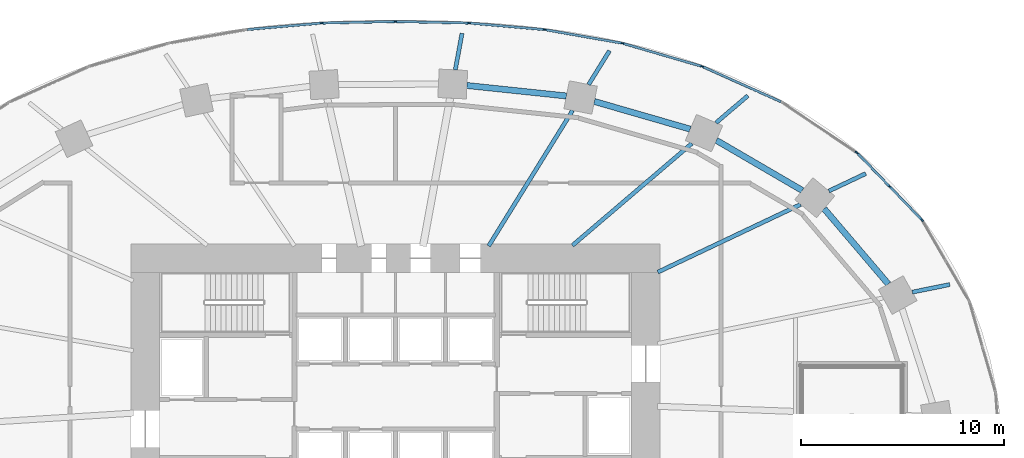
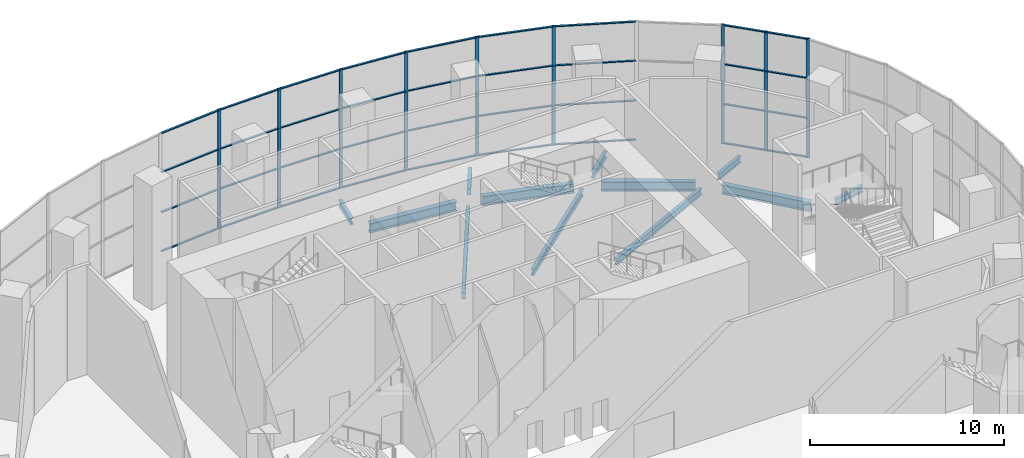
# One storey, part 8 of 22: 45 members, 12 beams, 9 elements without a shape of their own.
"""IFC4 building model written with IfcOpenShell, lengths in metres."""

from ifc_helpers import new_model, si_unit, direction, frame, origin, origin_2d, place, context, subcontext, project, spatial, rectangle, i_section, extrude, material, material_profile, profile_set, type_object, element, aggregate, save


model = new_model("IFC4")

# Units and contexts
model_context = context("Model", 3, precision=1e-05, world=origin(), true_north=direction((0.0, 1.0)))
body_context = subcontext(model_context, "Body", "Model", "MODEL_VIEW")
ifc_project = project(units=[si_unit("LENGTHUNIT", "METRE"), si_unit("AREAUNIT", "SQUARE_METRE"), si_unit("VOLUMEUNIT", "CUBIC_METRE"), si_unit("PLANEANGLEUNIT", "RADIAN"), si_unit("MASSUNIT", "GRAM", prefix="KILO")], contexts=[model_context])

# Site, building, storey
site_placement = place(None, origin())
site = spatial("IfcSite", under=ifc_project, at=site_placement, CompositionType="ELEMENT")
building_placement = place(site_placement, origin())
building = spatial("IfcBuilding", under=site, at=building_placement, Name="Rubra Terraces Tower", CompositionType="ELEMENT")
storey_placement = place(building_placement, frame((0.0, 0.0, 7.199951171875)))
storey = spatial("IfcBuildingStorey", under=building, at=storey_placement, Name="L01", CompositionType="ELEMENT", Elevation=7.199951171875)

# Beams
ifc_material_1 = material(Name="Steel Q355B", Category="steel")
ifc_material_profile_1 = material_profile(ifc_material_1, i_section(OverallWidth=0.199951171875, OverallDepth=0.39990234375, WebThickness=0.008056640625, FlangeThickness=0.012939453125, at=origin_2d()), Name="HN 400x200x8x13")
ifc_profile_set_1 = profile_set([ifc_material_profile_1], Name="Steel Q355B")
beam_type_1 = type_object("IfcBeamType", Name="CANTILEVER BEAM HN 400x200x8x13", PredefinedType="BEAM", material=ifc_profile_set_1)
beam_1_placement = place(storey_placement, frame((25.39599609375, 9.6279296875, -0.449951171875), z_axis=(0.980183746275, 0.198090442822, 0.0), x_axis=(-0.198090442822, 0.980183746275, 0.0)))
element("IfcBeam", 1, at=beam_1_placement, inside=storey, type_object=beam_type_1, Name="beam-L01-cant-02", PredefinedType="BEAM", context=body_context, shape_type="SweptSolid", body=[
    extrude(i_section(OverallWidth=0.199951171875, OverallDepth=0.39990234375, WebThickness=0.008056640625, FlangeThickness=0.012939453125, at=origin_2d()), origin(), (0.0, 0.0, 1.0), 1.878173828125),
])
beam_2_placement = place(storey_placement, frame((21.2958984375, 14.595947265625, -0.449951171875), z_axis=(0.903591368952, 0.428395422426, 0.0), x_axis=(-0.428395422426, 0.903591368952, 0.0)))
element("IfcBeam", 2, at=beam_2_placement, inside=storey, type_object=beam_type_1, Name="beam-L01-cant-03", PredefinedType="BEAM", context=body_context, shape_type="SweptSolid", body=[
    extrude(i_section(OverallWidth=0.199951171875, OverallDepth=0.39990234375, WebThickness=0.008056640625, FlangeThickness=0.012939453125, at=origin_2d()), origin(), (0.0, 0.0, 1.0), 2.003173828125),
])
beam_3_placement = place(storey_placement, frame((15.7509765625, 17.947998046875, -0.449951171875), z_axis=(0.760464221836, 0.649379832847, 0.0), x_axis=(-0.649379832847, 0.760464221836, 0.0)))
element("IfcBeam", 3, at=beam_3_placement, inside=storey, type_object=beam_type_1, Name="beam-L01-cant-04", PredefinedType="BEAM", context=body_context, shape_type="SweptSolid", body=[
    extrude(i_section(OverallWidth=0.199951171875, OverallDepth=0.39990234375, WebThickness=0.008056640625, FlangeThickness=0.012939453125, at=origin_2d()), origin(), (0.0, 0.0, 1.0), 2.052734375),
])
beam_4_placement = place(storey_placement, frame((9.488037109375, 19.827880859375, -0.449951171875), z_axis=(0.526264261804, 0.850321072741, 0.0), x_axis=(-0.850321072741, 0.526264261804, 0.0)))
element("IfcBeam", 4, at=beam_4_placement, inside=storey, type_object=beam_type_1, Name="beam-L01-cant-05", PredefinedType="BEAM", context=body_context, shape_type="SweptSolid", body=[
    extrude(i_section(OverallWidth=0.199951171875, OverallDepth=0.39990234375, WebThickness=0.008056640625, FlangeThickness=0.012939453125, at=origin_2d()), origin(), (0.0, 0.0, 1.0), 1.95361328125),
])
beam_5_placement = place(storey_placement, frame((2.93798828125, 20.549072265625, -0.449951171875), z_axis=(0.180016854408, 0.983663525871, 0.0), x_axis=(-0.983663525871, 0.180016854408, 0.0)))
element("IfcBeam", 5, at=beam_5_placement, inside=storey, type_object=beam_type_1, Name="beam-L01-cant-06", PredefinedType="BEAM", context=body_context, shape_type="SweptSolid", body=[
    extrude(i_section(OverallWidth=0.199951171875, OverallDepth=0.39990234375, WebThickness=0.008056640625, FlangeThickness=0.012939453125, at=origin_2d()), origin(), (0.0, 0.0, 1.0), 1.82275390625),
])
ifc_material_profile_2 = material_profile(ifc_material_1, i_section(OverallWidth=0.199951171875, OverallDepth=0.39990234375, WebThickness=0.008056640625, FlangeThickness=0.012939453125, at=origin_2d()), Name="HN 400x200x8x13")
ifc_profile_set_2 = profile_set([ifc_material_profile_2], Name="Steel Q355B")
beam_type_2 = type_object("IfcBeamType", Name="FLOOR BEAM HN 400x200x8x13", PredefinedType="BEAM", material=ifc_profile_set_2)
beam_6_placement = place(storey_placement, frame((19.904052734375, 13.93603515625, -0.449951171875), z_axis=(-0.903612237836, -0.428351402045, 0.0), x_axis=(0.428351402045, -0.903612237836, 0.0)))
element("IfcBeam", 6, at=beam_6_placement, inside=storey, type_object=beam_type_2, Name="beam-L01-floor-03", PredefinedType="BEAM", context=body_context, shape_type="SweptSolid", body=[
    extrude(i_section(OverallWidth=0.199951171875, OverallDepth=0.39990234375, WebThickness=0.008056640625, FlangeThickness=0.012939453125, at=origin_2d()), origin(), (0.0, 0.0, 1.0), 7.760009765625),
])
beam_7_placement = place(storey_placement, frame((14.56298828125, 16.93408203125, -0.449951171875), z_axis=(-0.760494401061, -0.649344489431, 0.0), x_axis=(0.649344489431, -0.760494401061, 0.0)))
element("IfcBeam", 7, at=beam_7_placement, inside=storey, type_object=beam_type_2, Name="beam-L01-floor-04", PredefinedType="BEAM", context=body_context, shape_type="SweptSolid", body=[
    extrude(i_section(OverallWidth=0.199951171875, OverallDepth=0.39990234375, WebThickness=0.008056640625, FlangeThickness=0.012939453125, at=origin_2d()), origin(), (0.0, 0.0, 1.0), 7.718505859375),
])
beam_8_placement = place(storey_placement, frame((8.699951171875, 18.555908203125, -0.449951171875), z_axis=(-0.526285914839, -0.850307671283, 0.0), x_axis=(0.850307671283, -0.526285914839, 0.0)))
element("IfcBeam", 8, at=beam_8_placement, inside=storey, type_object=beam_type_2, Name="beam-L01-floor-05", PredefinedType="BEAM", context=body_context, shape_type="SweptSolid", body=[
    extrude(i_section(OverallWidth=0.199951171875, OverallDepth=0.39990234375, WebThickness=0.008056640625, FlangeThickness=0.012939453125, at=origin_2d()), origin(), (0.0, 0.0, 1.0), 7.830078125),
])

# Curtain wall, members
ifc_material_2 = material(Name="Aluminium and glass", Category="aluminium")
curtain_wall_type = type_object("IfcCurtainWallType", Name="Curtain wall Podium glazing", PredefinedType="NOTDEFINED", material=ifc_material_2)
curtain_wall_1_placement = place(storey_placement, origin())
curtain_wall_1 = element("IfcCurtainWall", 9, at=curtain_wall_1_placement, inside=storey, type_object=curtain_wall_type, Name="L01 glazing bay 4", PredefinedType="NOTDEFINED")
ifc_material_3 = material(Name="Aluminium, anodised dark grey", Category="aluminium")
ifc_material_profile_3 = material_profile(ifc_material_3, rectangle(XDim=0.06005859375, YDim=0.199951171875, at=origin_2d()), Name="AL 60x200")
ifc_profile_set_3 = profile_set([ifc_material_profile_3], Name="Aluminium, anodised dark grey")
member_type_1 = type_object("IfcMemberType", Name="Podium glazing mullion 60 x 200", PredefinedType="MULLION", material=ifc_profile_set_3)
member_1_placement = place(storey_placement, frame((25.855224609375, 13.181396484375, 0.0), z_axis=(0.0, 0.0, 1.0), x_axis=(-0.71982488517, -0.69415569917, 0.0)))
member_1 = element("IfcMember", 10, at=member_1_placement, type_object=member_type_1, Name="CW1 mullion 1", PredefinedType="MULLION", context=body_context, shape_type="SweptSolid", body=[
    extrude(rectangle(XDim=0.06005859375, YDim=0.199951171875, at=origin_2d()), origin(), (0.0, 0.0, 1.0), 7.550048828125),
])
member_2_placement = place(storey_placement, frame((24.280517578125, 14.814453125, 0.0), z_axis=(0.0, 0.0, 1.0), x_axis=(-0.71982488517, -0.69415569917, 0.0)))
member_2 = element("IfcMember", 11, at=member_2_placement, type_object=member_type_1, Name="CW1 mullion 2", PredefinedType="MULLION", context=body_context, shape_type="SweptSolid", body=[
    extrude(rectangle(XDim=0.06005859375, YDim=0.199951171875, at=origin_2d()), origin(), (0.0, 0.0, 1.0), 7.550048828125),
])

# Curtain wall, member
curtain_wall_2_placement = place(storey_placement, origin())
curtain_wall_2 = element("IfcCurtainWall", 12, at=curtain_wall_2_placement, inside=storey, type_object=curtain_wall_type, Name="L01 glazing bay 5", PredefinedType="NOTDEFINED")
member_3_placement = place(storey_placement, frame((22.672119140625, 16.4755859375, 0.0), z_axis=(0.0, 0.0, 1.0), x_axis=(-0.55927727939, -0.828980654031, 0.0)))
member_3 = element("IfcMember", 13, at=member_3_placement, type_object=member_type_1, Name="CW1 mullion 1", PredefinedType="MULLION", context=body_context, shape_type="SweptSolid", body=[
    extrude(rectangle(XDim=0.06005859375, YDim=0.199951171875, at=origin_2d()), origin(), (0.0, 0.0, 1.0), 7.550048828125),
])
aggregate(curtain_wall_2, [member_3])

curtain_wall_3_placement = place(storey_placement, origin())
curtain_wall_3 = element("IfcCurtainWall", 14, at=curtain_wall_3_placement, inside=storey, type_object=curtain_wall_type, Name="L01 glazing bay 7", PredefinedType="NOTDEFINED")
member_4_placement = place(storey_placement, frame((15.05126953125, 20.721435546875, 0.0), z_axis=(0.0, 0.0, 1.0), x_axis=(-0.279399200229, -0.96017502931, 0.0)))
member_4 = element("IfcMember", 15, at=member_4_placement, type_object=member_type_1, Name="CW1 mullion 1", PredefinedType="MULLION", context=body_context, shape_type="SweptSolid", body=[
    extrude(rectangle(XDim=0.06005859375, YDim=0.199951171875, at=origin_2d()), origin(), (0.0, 0.0, 1.0), 7.550048828125),
])

curtain_wall_4_placement = place(storey_placement, origin())
curtain_wall_4 = element("IfcCurtainWall", 16, at=curtain_wall_4_placement, inside=storey, type_object=curtain_wall_type, Name="L01 glazing bay 8", PredefinedType="NOTDEFINED")
member_5_placement = place(storey_placement, frame((11.13037109375, 21.859375, 0.0), z_axis=(0.0, 0.0, 1.0), x_axis=(-0.172816985997, -0.984953952909, 0.0)))
member_5 = element("IfcMember", 17, at=member_5_placement, type_object=member_type_1, Name="CW1 mullion 1", PredefinedType="MULLION", context=body_context, shape_type="SweptSolid", body=[
    extrude(rectangle(XDim=0.06005859375, YDim=0.199951171875, at=origin_2d()), origin(), (0.0, 0.0, 1.0), 7.550048828125),
])

curtain_wall_5_placement = place(storey_placement, origin())
curtain_wall_5 = element("IfcCurtainWall", 18, at=curtain_wall_5_placement, inside=storey, type_object=curtain_wall_type, Name="L01 glazing bay 9", PredefinedType="NOTDEFINED")
member_6_placement = place(storey_placement, frame((7.306640625, 22.52783203125, 0.0), z_axis=(0.0, 0.0, 1.0), x_axis=(-0.08639804595, -0.996260697637, 0.0)))
member_6 = element("IfcMember", 19, at=member_6_placement, type_object=member_type_1, Name="CW1 mullion 1", PredefinedType="MULLION", context=body_context, shape_type="SweptSolid", body=[
    extrude(rectangle(XDim=0.06005859375, YDim=0.199951171875, at=origin_2d()), origin(), (0.0, 0.0, 1.0), 7.550048828125),
])

curtain_wall_6_placement = place(storey_placement, origin())
curtain_wall_6 = element("IfcCurtainWall", 20, at=curtain_wall_6_placement, inside=storey, type_object=curtain_wall_type, Name="L01 glazing bay 10", PredefinedType="NOTDEFINED")
member_7_placement = place(storey_placement, frame((3.598388671875, 22.84765625, 0.0), z_axis=(0.0, 0.0, 1.0), x_axis=(-0.021482644428, -0.999769221365, 0.0)))
member_7 = element("IfcMember", 21, at=member_7_placement, type_object=member_type_1, Name="CW1 mullion 1", PredefinedType="MULLION", context=body_context, shape_type="SweptSolid", body=[
    extrude(rectangle(XDim=0.06005859375, YDim=0.199951171875, at=origin_2d()), origin(), (0.0, 0.0, 1.0), 7.550048828125),
])

curtain_wall_7_placement = place(storey_placement, origin())
curtain_wall_7 = element("IfcCurtainWall", 22, at=curtain_wall_7_placement, inside=storey, type_object=curtain_wall_type, Name="L01 glazing bay 11", PredefinedType="NOTDEFINED")
member_8_placement = place(storey_placement, frame((-0.0283203125, 22.92431640625, 0.0), z_axis=(0.0, 0.0, 1.0), x_axis=(0.021482644428, -0.999769221365, 0.0)))
member_8 = element("IfcMember", 23, at=member_8_placement, type_object=member_type_1, Name="CW1 mullion 1", PredefinedType="MULLION", context=body_context, shape_type="SweptSolid", body=[
    extrude(rectangle(XDim=0.06005859375, YDim=0.199951171875, at=origin_2d()), origin(), (0.0, 0.0, 1.0), 7.550048828125),
])

curtain_wall_8_placement = place(storey_placement, origin())
curtain_wall_8 = element("IfcCurtainWall", 24, at=curtain_wall_8_placement, inside=storey, type_object=curtain_wall_type, Name="L01 glazing bay 12", PredefinedType="NOTDEFINED")
member_9_placement = place(storey_placement, frame((-3.6533203125, 22.8447265625, 0.0), z_axis=(0.0, 0.0, 1.0), x_axis=(0.08639804595, -0.996260697637, 0.0)))
member_9 = element("IfcMember", 25, at=member_9_placement, type_object=member_type_1, Name="CW1 mullion 1", PredefinedType="MULLION", context=body_context, shape_type="SweptSolid", body=[
    extrude(rectangle(XDim=0.06005859375, YDim=0.199951171875, at=origin_2d()), origin(), (0.0, 0.0, 1.0), 7.550048828125),
])

# Member
ifc_material_profile_4 = material_profile(ifc_material_3, rectangle(XDim=0.1201171875, YDim=0.06005859375, at=origin_2d()), Name="AL 120x60")
ifc_profile_set_4 = profile_set([ifc_material_profile_4], Name="Aluminium, anodised dark grey")
member_type_2 = type_object("IfcMemberType", Name="Podium glazing transom 120 x 60", PredefinedType="USERDEFINED", material=ifc_profile_set_4)
member_10_placement = place(storey_placement, frame((25.83447265625, 13.203125, 0.06005859375), z_axis=(-0.694223533913, 0.719759463266, 0.0), x_axis=(-0.719759463266, -0.694223533913, 0.0)))
member_10 = element("IfcMember", 26, at=member_10_placement, type_object=member_type_2, Name="CW1 transom 1.1", ObjectType="TRANSOM", PredefinedType="USERDEFINED", context=body_context, shape_type="SweptSolid", body=[
    extrude(rectangle(XDim=0.1201171875, YDim=0.06005859375, at=origin_2d()), origin(), (0.0, 0.0, 1.0), 2.20849609375),
])

member_11_placement = place(storey_placement, frame((25.83447265625, 13.203125, 2.516845703125), z_axis=(-0.694223533913, 0.719759463266, 0.0), x_axis=(-0.719759463266, -0.694223533913, 0.0)))
member_11 = element("IfcMember", 27, at=member_11_placement, type_object=member_type_2, Name="CW1 transom 1.2", ObjectType="TRANSOM", PredefinedType="USERDEFINED", context=body_context, shape_type="SweptSolid", body=[
    extrude(rectangle(XDim=0.1201171875, YDim=0.06005859375, at=origin_2d()), origin(), (0.0, 0.0, 1.0), 2.20849609375),
])

member_12_placement = place(storey_placement, frame((25.83447265625, 13.203125, 5.033447265625), z_axis=(-0.694223533913, 0.719759463266, 0.0), x_axis=(-0.719759463266, -0.694223533913, 0.0)))
member_12 = element("IfcMember", 28, at=member_12_placement, type_object=member_type_2, Name="CW1 transom 1.3", ObjectType="TRANSOM", PredefinedType="USERDEFINED", context=body_context, shape_type="SweptSolid", body=[
    extrude(rectangle(XDim=0.1201171875, YDim=0.06005859375, at=origin_2d()), origin(), (0.0, 0.0, 1.0), 2.20849609375),
])

member_13_placement = place(storey_placement, frame((25.83447265625, 13.203125, 7.489990234375), z_axis=(-0.694223533913, 0.719759463266, 0.0), x_axis=(-0.719759463266, -0.694223533913, 0.0)))
member_13 = element("IfcMember", 29, at=member_13_placement, type_object=member_type_2, Name="CW1 transom 1.4", ObjectType="TRANSOM", PredefinedType="USERDEFINED", context=body_context, shape_type="SweptSolid", body=[
    extrude(rectangle(XDim=0.1201171875, YDim=0.06005859375, at=origin_2d()), origin(), (0.0, 0.0, 1.0), 2.20849609375),
])

member_14_placement = place(storey_placement, frame((24.259765625, 14.8359375, 0.06005859375), z_axis=(-0.694168299732, 0.719812733735, 0.0), x_axis=(-0.719812733735, -0.694168299732, 0.0)))
member_14 = element("IfcMember", 30, at=member_14_placement, type_object=member_type_2, Name="CW1 transom 2.1", ObjectType="TRANSOM", PredefinedType="USERDEFINED", context=body_context, shape_type="SweptSolid", body=[
    extrude(rectangle(XDim=0.1201171875, YDim=0.06005859375, at=origin_2d()), origin(), (0.0, 0.0, 1.0), 2.208740234375),
])

member_15_placement = place(storey_placement, frame((24.259765625, 14.8359375, 2.516845703125), z_axis=(-0.694168299732, 0.719812733735, 0.0), x_axis=(-0.719812733735, -0.694168299732, 0.0)))
member_15 = element("IfcMember", 31, at=member_15_placement, type_object=member_type_2, Name="CW1 transom 2.2", ObjectType="TRANSOM", PredefinedType="USERDEFINED", context=body_context, shape_type="SweptSolid", body=[
    extrude(rectangle(XDim=0.1201171875, YDim=0.06005859375, at=origin_2d()), origin(), (0.0, 0.0, 1.0), 2.208740234375),
])

member_16_placement = place(storey_placement, frame((24.259765625, 14.8359375, 5.033447265625), z_axis=(-0.694168299732, 0.719812733735, 0.0), x_axis=(-0.719812733735, -0.694168299732, 0.0)))
member_16 = element("IfcMember", 32, at=member_16_placement, type_object=member_type_2, Name="CW1 transom 2.3", ObjectType="TRANSOM", PredefinedType="USERDEFINED", context=body_context, shape_type="SweptSolid", body=[
    extrude(rectangle(XDim=0.1201171875, YDim=0.06005859375, at=origin_2d()), origin(), (0.0, 0.0, 1.0), 2.208740234375),
])

member_17_placement = place(storey_placement, frame((24.259765625, 14.8359375, 7.489990234375), z_axis=(-0.694168299732, 0.719812733735, 0.0), x_axis=(-0.719812733735, -0.694168299732, 0.0)))
member_17 = element("IfcMember", 33, at=member_17_placement, type_object=member_type_2, Name="CW1 transom 2.4", ObjectType="TRANSOM", PredefinedType="USERDEFINED", context=body_context, shape_type="SweptSolid", body=[
    extrude(rectangle(XDim=0.1201171875, YDim=0.06005859375, at=origin_2d()), origin(), (0.0, 0.0, 1.0), 2.208740234375),
])

aggregate(curtain_wall_1, [member_1, member_2, member_10, member_11, member_12, member_13, member_14, member_15, member_16, member_17])

# Curtain wall, members
curtain_wall_9_placement = place(storey_placement, origin())
curtain_wall_9 = element("IfcCurtainWall", 34, at=curtain_wall_9_placement, inside=storey, type_object=curtain_wall_type, Name="L01 glazing bay 6", PredefinedType="NOTDEFINED")
member_18_placement = place(storey_placement, frame((18.9404296875, 18.982177734375, 0.06005859375), z_axis=(-0.912545396627, 0.408975426029, 0.0), x_axis=(-0.408975426029, -0.912545396627, 0.0)))
member_18 = element("IfcMember", 35, at=member_18_placement, type_object=member_type_2, Name="CW1 transom 1.1", ObjectType="TRANSOM", PredefinedType="USERDEFINED", context=body_context, shape_type="SweptSolid", body=[
    extrude(rectangle(XDim=0.1201171875, YDim=0.06005859375, at=origin_2d()), origin(), (0.0, 0.0, 1.0), 4.18115234375),
])
member_19_placement = place(storey_placement, frame((18.9404296875, 18.982177734375, 2.516845703125), z_axis=(-0.912545396627, 0.408975426029, 0.0), x_axis=(-0.408975426029, -0.912545396627, 0.0)))
member_19 = element("IfcMember", 36, at=member_19_placement, type_object=member_type_2, Name="CW1 transom 1.2", ObjectType="TRANSOM", PredefinedType="USERDEFINED", context=body_context, shape_type="SweptSolid", body=[
    extrude(rectangle(XDim=0.1201171875, YDim=0.06005859375, at=origin_2d()), origin(), (0.0, 0.0, 1.0), 4.18115234375),
])
member_20_placement = place(storey_placement, frame((18.9404296875, 18.982177734375, 5.033447265625), z_axis=(-0.912545396627, 0.408975426029, 0.0), x_axis=(-0.408975426029, -0.912545396627, 0.0)))
member_20 = element("IfcMember", 37, at=member_20_placement, type_object=member_type_2, Name="CW1 transom 1.3", ObjectType="TRANSOM", PredefinedType="USERDEFINED", context=body_context, shape_type="SweptSolid", body=[
    extrude(rectangle(XDim=0.1201171875, YDim=0.06005859375, at=origin_2d()), origin(), (0.0, 0.0, 1.0), 4.18115234375),
])
member_21_placement = place(storey_placement, frame((18.9404296875, 18.982177734375, 7.489990234375), z_axis=(-0.912545396627, 0.408975426029, 0.0), x_axis=(-0.408975426029, -0.912545396627, 0.0)))
member_21 = element("IfcMember", 38, at=member_21_placement, type_object=member_type_2, Name="CW1 transom 1.4", ObjectType="TRANSOM", PredefinedType="USERDEFINED", context=body_context, shape_type="SweptSolid", body=[
    extrude(rectangle(XDim=0.1201171875, YDim=0.06005859375, at=origin_2d()), origin(), (0.0, 0.0, 1.0), 4.18115234375),
])
aggregate(curtain_wall_9, [member_18, member_19, member_20, member_21])

# Member
member_22_placement = place(storey_placement, frame((15.0224609375, 20.729736328125, 0.06005859375), z_axis=(-0.960164409194, 0.279435694422, 0.0), x_axis=(-0.279435694422, -0.960164409194, 0.0)))
member_22 = element("IfcMember", 39, at=member_22_placement, type_object=member_type_2, Name="CW1 transom 1.1", ObjectType="TRANSOM", PredefinedType="USERDEFINED", context=body_context, shape_type="SweptSolid", body=[
    extrude(rectangle(XDim=0.1201171875, YDim=0.06005859375, at=origin_2d()), origin(), (0.0, 0.0, 1.0), 3.970947265625),
])

member_23_placement = place(storey_placement, frame((15.0224609375, 20.729736328125, 2.516845703125), z_axis=(-0.960164409194, 0.279435694422, 0.0), x_axis=(-0.279435694422, -0.960164409194, 0.0)))
member_23 = element("IfcMember", 40, at=member_23_placement, type_object=member_type_2, Name="CW1 transom 1.2", ObjectType="TRANSOM", PredefinedType="USERDEFINED", context=body_context, shape_type="SweptSolid", body=[
    extrude(rectangle(XDim=0.1201171875, YDim=0.06005859375, at=origin_2d()), origin(), (0.0, 0.0, 1.0), 3.970947265625),
])

member_24_placement = place(storey_placement, frame((15.0224609375, 20.729736328125, 5.033447265625), z_axis=(-0.960164409194, 0.279435694422, 0.0), x_axis=(-0.279435694422, -0.960164409194, 0.0)))
member_24 = element("IfcMember", 41, at=member_24_placement, type_object=member_type_2, Name="CW1 transom 1.3", ObjectType="TRANSOM", PredefinedType="USERDEFINED", context=body_context, shape_type="SweptSolid", body=[
    extrude(rectangle(XDim=0.1201171875, YDim=0.06005859375, at=origin_2d()), origin(), (0.0, 0.0, 1.0), 3.970947265625),
])

member_25_placement = place(storey_placement, frame((15.0224609375, 20.729736328125, 7.489990234375), z_axis=(-0.960164409194, 0.279435694422, 0.0), x_axis=(-0.279435694422, -0.960164409194, 0.0)))
member_25 = element("IfcMember", 42, at=member_25_placement, type_object=member_type_2, Name="CW1 transom 1.4", ObjectType="TRANSOM", PredefinedType="USERDEFINED", context=body_context, shape_type="SweptSolid", body=[
    extrude(rectangle(XDim=0.1201171875, YDim=0.06005859375, at=origin_2d()), origin(), (0.0, 0.0, 1.0), 3.970947265625),
])

aggregate(curtain_wall_3, [member_4, member_22, member_23, member_24, member_25])

member_26_placement = place(storey_placement, frame((11.100830078125, 21.864501953125, 0.06005859375), z_axis=(-0.984959152546, 0.172787348539, 0.0), x_axis=(-0.172787348539, -0.984959152546, 0.0)))
member_26 = element("IfcMember", 43, at=member_26_placement, type_object=member_type_2, Name="CW1 transom 1.1", ObjectType="TRANSOM", PredefinedType="USERDEFINED", context=body_context, shape_type="SweptSolid", body=[
    extrude(rectangle(XDim=0.1201171875, YDim=0.06005859375, at=origin_2d()), origin(), (0.0, 0.0, 1.0), 3.768310546875),
])

member_27_placement = place(storey_placement, frame((11.100830078125, 21.864501953125, 2.516845703125), z_axis=(-0.984959152546, 0.172787348539, 0.0), x_axis=(-0.172787348539, -0.984959152546, 0.0)))
member_27 = element("IfcMember", 44, at=member_27_placement, type_object=member_type_2, Name="CW1 transom 1.2", ObjectType="TRANSOM", PredefinedType="USERDEFINED", context=body_context, shape_type="SweptSolid", body=[
    extrude(rectangle(XDim=0.1201171875, YDim=0.06005859375, at=origin_2d()), origin(), (0.0, 0.0, 1.0), 3.768310546875),
])

member_28_placement = place(storey_placement, frame((11.100830078125, 21.864501953125, 5.033447265625), z_axis=(-0.984959152546, 0.172787348539, 0.0), x_axis=(-0.172787348539, -0.984959152546, 0.0)))
member_28 = element("IfcMember", 45, at=member_28_placement, type_object=member_type_2, Name="CW1 transom 1.3", ObjectType="TRANSOM", PredefinedType="USERDEFINED", context=body_context, shape_type="SweptSolid", body=[
    extrude(rectangle(XDim=0.1201171875, YDim=0.06005859375, at=origin_2d()), origin(), (0.0, 0.0, 1.0), 3.768310546875),
])

member_29_placement = place(storey_placement, frame((11.100830078125, 21.864501953125, 7.489990234375), z_axis=(-0.984959152546, 0.172787348539, 0.0), x_axis=(-0.172787348539, -0.984959152546, 0.0)))
member_29 = element("IfcMember", 46, at=member_29_placement, type_object=member_type_2, Name="CW1 transom 1.4", ObjectType="TRANSOM", PredefinedType="USERDEFINED", context=body_context, shape_type="SweptSolid", body=[
    extrude(rectangle(XDim=0.1201171875, YDim=0.06005859375, at=origin_2d()), origin(), (0.0, 0.0, 1.0), 3.768310546875),
])

aggregate(curtain_wall_4, [member_5, member_26, member_27, member_28, member_29])

member_30_placement = place(storey_placement, frame((7.276611328125, 22.530517578125, 0.06005859375), z_axis=(-0.996262906738, 0.086372568895, 0.0), x_axis=(-0.086372568895, -0.996262906738, 0.0)))
member_30 = element("IfcMember", 47, at=member_30_placement, type_object=member_type_2, Name="CW1 transom 1.1", ObjectType="TRANSOM", PredefinedType="USERDEFINED", context=body_context, shape_type="SweptSolid", body=[
    extrude(rectangle(XDim=0.1201171875, YDim=0.06005859375, at=origin_2d()), origin(), (0.0, 0.0, 1.0), 3.606689453125),
])

member_31_placement = place(storey_placement, frame((7.276611328125, 22.530517578125, 2.516845703125), z_axis=(-0.996262906738, 0.086372568895, 0.0), x_axis=(-0.086372568895, -0.996262906738, 0.0)))
member_31 = element("IfcMember", 48, at=member_31_placement, type_object=member_type_2, Name="CW1 transom 1.2", ObjectType="TRANSOM", PredefinedType="USERDEFINED", context=body_context, shape_type="SweptSolid", body=[
    extrude(rectangle(XDim=0.1201171875, YDim=0.06005859375, at=origin_2d()), origin(), (0.0, 0.0, 1.0), 3.606689453125),
])

member_32_placement = place(storey_placement, frame((7.276611328125, 22.530517578125, 5.033447265625), z_axis=(-0.996262906738, 0.086372568895, 0.0), x_axis=(-0.086372568895, -0.996262906738, 0.0)))
member_32 = element("IfcMember", 49, at=member_32_placement, type_object=member_type_2, Name="CW1 transom 1.3", ObjectType="TRANSOM", PredefinedType="USERDEFINED", context=body_context, shape_type="SweptSolid", body=[
    extrude(rectangle(XDim=0.1201171875, YDim=0.06005859375, at=origin_2d()), origin(), (0.0, 0.0, 1.0), 3.606689453125),
])

member_33_placement = place(storey_placement, frame((7.276611328125, 22.530517578125, 7.489990234375), z_axis=(-0.996262906738, 0.086372568895, 0.0), x_axis=(-0.086372568895, -0.996262906738, 0.0)))
member_33 = element("IfcMember", 50, at=member_33_placement, type_object=member_type_2, Name="CW1 transom 1.4", ObjectType="TRANSOM", PredefinedType="USERDEFINED", context=body_context, shape_type="SweptSolid", body=[
    extrude(rectangle(XDim=0.1201171875, YDim=0.06005859375, at=origin_2d()), origin(), (0.0, 0.0, 1.0), 3.606689453125),
])

aggregate(curtain_wall_5, [member_6, member_30, member_31, member_32, member_33])

member_34_placement = place(storey_placement, frame((3.568359375, 22.848388671875, 0.06005859375), z_axis=(-0.99976911273, 0.021487699509, 0.0), x_axis=(-0.021487699509, -0.99976911273, 0.0)))
member_34 = element("IfcMember", 51, at=member_34_placement, type_object=member_type_2, Name="CW1 transom 1.1", ObjectType="TRANSOM", PredefinedType="USERDEFINED", context=body_context, shape_type="SweptSolid", body=[
    extrude(rectangle(XDim=0.1201171875, YDim=0.06005859375, at=origin_2d()), origin(), (0.0, 0.0, 1.0), 3.5107421875),
])

member_35_placement = place(storey_placement, frame((3.568359375, 22.848388671875, 2.516845703125), z_axis=(-0.99976911273, 0.021487699509, 0.0), x_axis=(-0.021487699509, -0.99976911273, 0.0)))
member_35 = element("IfcMember", 52, at=member_35_placement, type_object=member_type_2, Name="CW1 transom 1.2", ObjectType="TRANSOM", PredefinedType="USERDEFINED", context=body_context, shape_type="SweptSolid", body=[
    extrude(rectangle(XDim=0.1201171875, YDim=0.06005859375, at=origin_2d()), origin(), (0.0, 0.0, 1.0), 3.5107421875),
])

member_36_placement = place(storey_placement, frame((3.568359375, 22.848388671875, 5.033447265625), z_axis=(-0.99976911273, 0.021487699509, 0.0), x_axis=(-0.021487699509, -0.99976911273, 0.0)))
member_36 = element("IfcMember", 53, at=member_36_placement, type_object=member_type_2, Name="CW1 transom 1.3", ObjectType="TRANSOM", PredefinedType="USERDEFINED", context=body_context, shape_type="SweptSolid", body=[
    extrude(rectangle(XDim=0.1201171875, YDim=0.06005859375, at=origin_2d()), origin(), (0.0, 0.0, 1.0), 3.5107421875),
])

member_37_placement = place(storey_placement, frame((3.568359375, 22.848388671875, 7.489990234375), z_axis=(-0.99976911273, 0.021487699509, 0.0), x_axis=(-0.021487699509, -0.99976911273, 0.0)))
member_37 = element("IfcMember", 54, at=member_37_placement, type_object=member_type_2, Name="CW1 transom 1.4", ObjectType="TRANSOM", PredefinedType="USERDEFINED", context=body_context, shape_type="SweptSolid", body=[
    extrude(rectangle(XDim=0.1201171875, YDim=0.06005859375, at=origin_2d()), origin(), (0.0, 0.0, 1.0), 3.5107421875),
])

aggregate(curtain_wall_6, [member_7, member_34, member_35, member_36, member_37])

member_38_placement = place(storey_placement, frame((-0.058349609375, 22.923828125, 0.06005859375), z_axis=(-0.99976911273, -0.021487699509, 0.0), x_axis=(0.021487699509, -0.99976911273, 0.0)))
member_38 = element("IfcMember", 55, at=member_38_placement, type_object=member_type_2, Name="CW1 transom 1.1", ObjectType="TRANSOM", PredefinedType="USERDEFINED", context=body_context, shape_type="SweptSolid", body=[
    extrude(rectangle(XDim=0.1201171875, YDim=0.06005859375, at=origin_2d()), origin(), (0.0, 0.0, 1.0), 3.5107421875),
])

member_39_placement = place(storey_placement, frame((-0.058349609375, 22.923828125, 2.516845703125), z_axis=(-0.99976911273, -0.021487699509, 0.0), x_axis=(0.021487699509, -0.99976911273, 0.0)))
member_39 = element("IfcMember", 56, at=member_39_placement, type_object=member_type_2, Name="CW1 transom 1.2", ObjectType="TRANSOM", PredefinedType="USERDEFINED", context=body_context, shape_type="SweptSolid", body=[
    extrude(rectangle(XDim=0.1201171875, YDim=0.06005859375, at=origin_2d()), origin(), (0.0, 0.0, 1.0), 3.5107421875),
])

member_40_placement = place(storey_placement, frame((-0.058349609375, 22.923828125, 5.033447265625), z_axis=(-0.99976911273, -0.021487699509, 0.0), x_axis=(0.021487699509, -0.99976911273, 0.0)))
member_40 = element("IfcMember", 57, at=member_40_placement, type_object=member_type_2, Name="CW1 transom 1.3", ObjectType="TRANSOM", PredefinedType="USERDEFINED", context=body_context, shape_type="SweptSolid", body=[
    extrude(rectangle(XDim=0.1201171875, YDim=0.06005859375, at=origin_2d()), origin(), (0.0, 0.0, 1.0), 3.5107421875),
])

member_41_placement = place(storey_placement, frame((-0.058349609375, 22.923828125, 7.489990234375), z_axis=(-0.99976911273, -0.021487699509, 0.0), x_axis=(0.021487699509, -0.99976911273, 0.0)))
member_41 = element("IfcMember", 58, at=member_41_placement, type_object=member_type_2, Name="CW1 transom 1.4", ObjectType="TRANSOM", PredefinedType="USERDEFINED", context=body_context, shape_type="SweptSolid", body=[
    extrude(rectangle(XDim=0.1201171875, YDim=0.06005859375, at=origin_2d()), origin(), (0.0, 0.0, 1.0), 3.5107421875),
])

aggregate(curtain_wall_7, [member_8, member_38, member_39, member_40, member_41])

member_42_placement = place(storey_placement, frame((-3.683349609375, 22.842041015625, 0.06005859375), z_axis=(-0.996262906738, -0.086372568895, 0.0), x_axis=(0.086372568895, -0.996262906738, 0.0)))
member_42 = element("IfcMember", 59, at=member_42_placement, type_object=member_type_2, Name="CW1 transom 1.1", ObjectType="TRANSOM", PredefinedType="USERDEFINED", context=body_context, shape_type="SweptSolid", body=[
    extrude(rectangle(XDim=0.1201171875, YDim=0.06005859375, at=origin_2d()), origin(), (0.0, 0.0, 1.0), 3.606689453125),
])

member_43_placement = place(storey_placement, frame((-3.683349609375, 22.842041015625, 2.516845703125), z_axis=(-0.996262906738, -0.086372568895, 0.0), x_axis=(0.086372568895, -0.996262906738, 0.0)))
member_43 = element("IfcMember", 60, at=member_43_placement, type_object=member_type_2, Name="CW1 transom 1.2", ObjectType="TRANSOM", PredefinedType="USERDEFINED", context=body_context, shape_type="SweptSolid", body=[
    extrude(rectangle(XDim=0.1201171875, YDim=0.06005859375, at=origin_2d()), origin(), (0.0, 0.0, 1.0), 3.606689453125),
])

member_44_placement = place(storey_placement, frame((-3.683349609375, 22.842041015625, 5.033447265625), z_axis=(-0.996262906738, -0.086372568895, 0.0), x_axis=(0.086372568895, -0.996262906738, 0.0)))
member_44 = element("IfcMember", 61, at=member_44_placement, type_object=member_type_2, Name="CW1 transom 1.3", ObjectType="TRANSOM", PredefinedType="USERDEFINED", context=body_context, shape_type="SweptSolid", body=[
    extrude(rectangle(XDim=0.1201171875, YDim=0.06005859375, at=origin_2d()), origin(), (0.0, 0.0, 1.0), 3.606689453125),
])

member_45_placement = place(storey_placement, frame((-3.683349609375, 22.842041015625, 7.489990234375), z_axis=(-0.996262906738, -0.086372568895, 0.0), x_axis=(0.086372568895, -0.996262906738, 0.0)))
member_45 = element("IfcMember", 62, at=member_45_placement, type_object=member_type_2, Name="CW1 transom 1.4", ObjectType="TRANSOM", PredefinedType="USERDEFINED", context=body_context, shape_type="SweptSolid", body=[
    extrude(rectangle(XDim=0.1201171875, YDim=0.06005859375, at=origin_2d()), origin(), (0.0, 0.0, 1.0), 3.606689453125),
])

aggregate(curtain_wall_8, [member_9, member_42, member_43, member_44, member_45])

# Beams
ifc_material_profile_5 = material_profile(ifc_material_1, i_section(OverallWidth=0.300048828125, OverallDepth=0.587890625, WebThickness=0.011962890625, FlangeThickness=0.02001953125, at=origin_2d()), Name="HM 588x300x12x20")
ifc_profile_set_5 = profile_set([ifc_material_profile_5], Name="Steel Q355B")
beam_type_3 = type_object("IfcBeamType", Name="SPANDREL BEAM HM 588x300x12x20", PredefinedType="SPANDREL", material=ifc_profile_set_5)
beam_9_placement = place(storey_placement, frame((24.212890625, 10.02587890625, -0.5439453125), z_axis=(-0.648447050824, 0.761259760054, 0.0), x_axis=(-0.761259760054, -0.648447050824, 0.0)))
element("IfcBeam", 63, at=beam_9_placement, inside=storey, type_object=beam_type_3, Name="beam-L01-spandrel-02", PredefinedType="SPANDREL", context=body_context, shape_type="SweptSolid", body=[
    extrude(i_section(OverallWidth=0.300048828125, OverallDepth=0.587890625, WebThickness=0.011962890625, FlangeThickness=0.02001953125, at=origin_2d()), origin(), (0.0, 0.0, 1.0), 4.860595703125),
])
beam_10_placement = place(storey_placement, frame((19.987060546875, 14.6240234375, -0.5439453125), z_axis=(-0.863806081452, 0.503824427402, 0.0), x_axis=(-0.503824427402, -0.863806081452, 0.0)))
element("IfcBeam", 64, at=beam_10_placement, inside=storey, type_object=beam_type_3, Name="beam-L01-spandrel-03", PredefinedType="SPANDREL", context=body_context, shape_type="SweptSolid", body=[
    extrude(i_section(OverallWidth=0.300048828125, OverallDepth=0.587890625, WebThickness=0.011962890625, FlangeThickness=0.02001953125, at=origin_2d()), origin(), (0.0, 0.0, 1.0), 4.886474609375),
])
beam_11_placement = place(storey_placement, frame((14.47900390625, 17.636962890625, -0.5439453125), z_axis=(-0.960743980202, 0.277436487337, 0.0), x_axis=(-0.277436487337, -0.960743980202, 0.0)))
element("IfcBeam", 65, at=beam_11_placement, inside=storey, type_object=beam_type_3, Name="beam-L01-spandrel-04", PredefinedType="SPANDREL", context=body_context, shape_type="SweptSolid", body=[
    extrude(i_section(OverallWidth=0.300048828125, OverallDepth=0.587890625, WebThickness=0.011962890625, FlangeThickness=0.02001953125, at=origin_2d()), origin(), (0.0, 0.0, 1.0), 4.90234375),
])
beam_12_placement = place(storey_placement, frame((8.39501953125, 19.26611328125, -0.5439453125), z_axis=(-0.994495375694, 0.104780473964, 0.0), x_axis=(-0.104780473964, -0.994495375694, 0.0)))
element("IfcBeam", 66, at=beam_12_placement, inside=storey, type_object=beam_type_3, Name="beam-L01-spandrel-05", PredefinedType="SPANDREL", context=body_context, shape_type="SweptSolid", body=[
    extrude(i_section(OverallWidth=0.300048828125, OverallDepth=0.587890625, WebThickness=0.011962890625, FlangeThickness=0.02001953125, at=origin_2d()), origin(), (0.0, 0.0, 1.0), 4.9140625),
])

save(model, "model.ifc")
